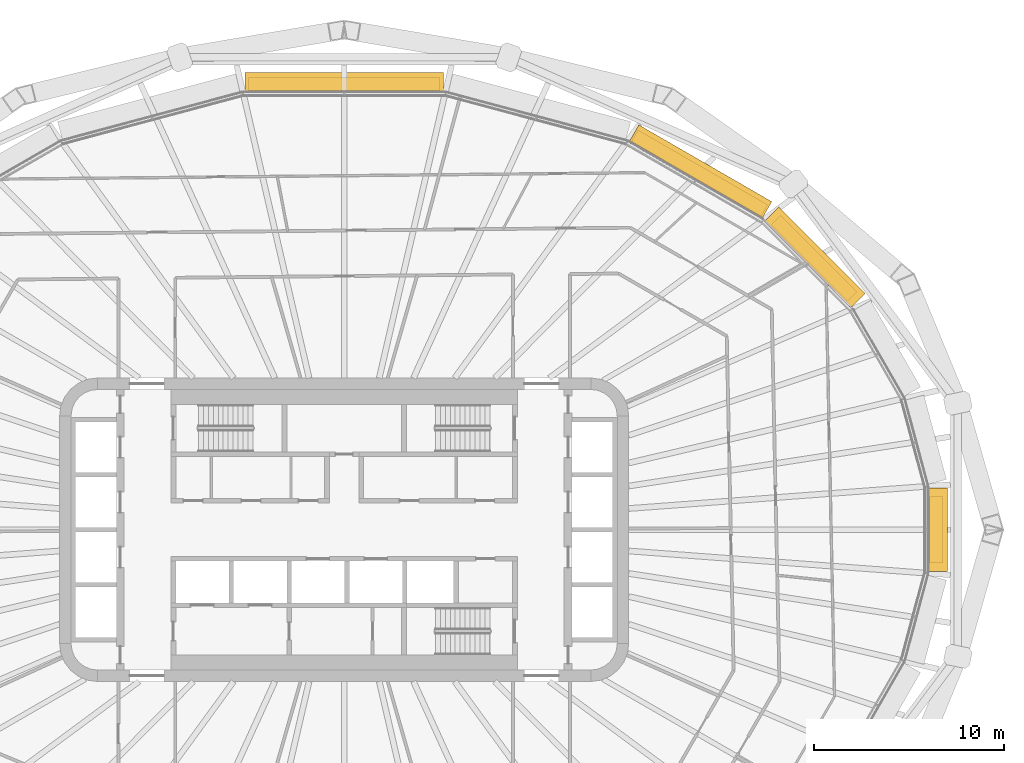
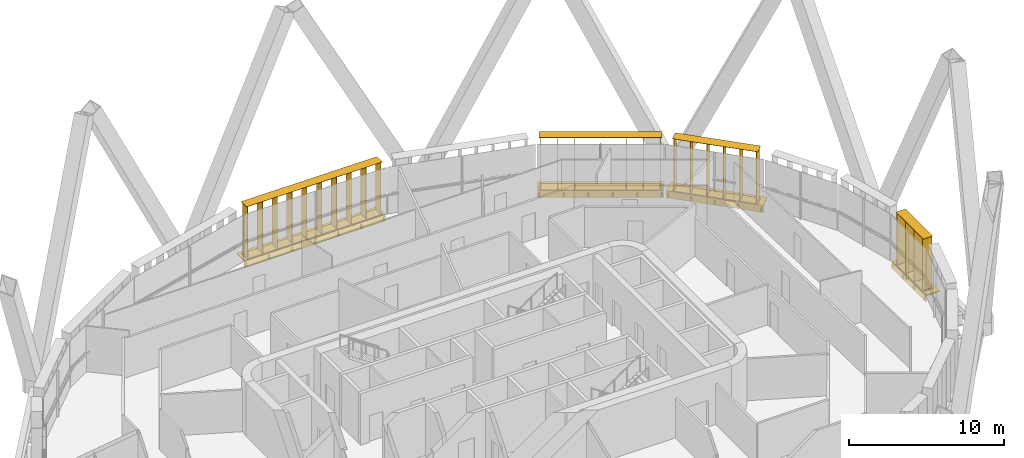
# One storey, part 25 of 25: 8 shading devices.
"""IFC4 building model written with IfcOpenShell, lengths in metres."""

from ifc_helpers import new_model, si_unit, direction, frame, origin, origin_2d, place, context, subcontext, project, spatial, rectangle, extrude, material, type_object, element, save


model = new_model("IFC4")

# Units and contexts
model_context = context("Model", 3, precision=1e-05, world=origin(), true_north=direction((0.0, 1.0)))
body_context = subcontext(model_context, "Body", "Model", "MODEL_VIEW")
ifc_project = project(units=[si_unit("LENGTHUNIT", "METRE"), si_unit("AREAUNIT", "SQUARE_METRE"), si_unit("VOLUMEUNIT", "CUBIC_METRE"), si_unit("PLANEANGLEUNIT", "RADIAN"), si_unit("MASSUNIT", "GRAM", prefix="KILO")], contexts=[model_context])

# Site, building, storey
site_placement = place(None, origin())
site = spatial("IfcSite", under=ifc_project, at=site_placement, CompositionType="ELEMENT")
building_placement = place(site_placement, origin())
building = spatial("IfcBuilding", under=site, at=building_placement, Name="Sahrelin Media Tower", CompositionType="ELEMENT")
storey_placement = place(building_placement, frame((0.0, 0.0, 63.0)))
storey = spatial("IfcBuildingStorey", under=building, at=storey_placement, Name="L10", CompositionType="ELEMENT", Elevation=63.0)

# Shading devices
ifc_material = material(Name="Champagne anodised aluminium 6063-T6", Category="aluminium")
shading_device_type_1 = type_object("IfcShadingDeviceType", Name="Fin cassette", PredefinedType="USERDEFINED", material=ifc_material)
placement_1 = place(storey_placement, frame((30.790283203125, 0.0, 0.0), z_axis=(0.0, 0.0, 1.0), x_axis=(0.0, -1.0, 0.0)))
element("IfcShadingDevice", 1, at=placement_1, inside=storey, type_object=shading_device_type_1, Name="L10:FIN:L10-00", ObjectType="FIN", PredefinedType="USERDEFINED", context=body_context, shape_type="SweptSolid", body=[
    extrude(rectangle(XDim=3.5, YDim=0.699951171875, at=origin_2d()), frame((0.0, 0.419921875, 0.0)), (0.0, 0.0, 1.0), 0.02001953125),
    extrude(rectangle(XDim=3.5, YDim=0.699951171875, at=origin_2d()), frame((0.0, 0.419921875, 4.10009765625)), (0.0, 0.0, 1.0), 0.02001953125),
    extrude(rectangle(XDim=0.02001953125, YDim=0.699951171875, at=origin_2d()), frame((-1.64990234375, 0.419921875, 0.010009765625), z_axis=(0.0, 0.0, 1.0), x_axis=(1.0, 0.0, 0.0)), (0.0, 0.0, 1.0), 4.10009765625),
    extrude(rectangle(XDim=0.02001953125, YDim=0.699951171875, at=origin_2d()), frame((-0.550048828125, 0.419921875, 0.010009765625), z_axis=(0.0, 0.0, 1.0), x_axis=(1.0, 0.0, 0.0)), (0.0, 0.0, 1.0), 4.10009765625),
    extrude(rectangle(XDim=0.02001953125, YDim=0.699951171875, at=origin_2d()), frame((0.550048828125, 0.419921875, 0.010009765625), z_axis=(0.0, 0.0, 1.0), x_axis=(1.0, 0.0, 0.0)), (0.0, 0.0, 1.0), 4.10009765625),
    extrude(rectangle(XDim=0.02001953125, YDim=0.699951171875, at=origin_2d()), frame((1.64990234375, 0.419921875, 0.010009765625), z_axis=(0.0, 0.0, 1.0), x_axis=(1.0, 0.0, 0.0)), (0.0, 0.0, 1.0), 4.10009765625),
])
placement_2 = place(storey_placement, frame((24.46728515625, 14.011474609375, 0.0), z_axis=(0.0, 0.0, 1.0), x_axis=(0.707106781187, -0.707106781187, 0.0)))
element("IfcShadingDevice", 2, at=placement_2, inside=storey, type_object=shading_device_type_1, Name="L10:FIN:L10-03", ObjectType="FIN", PredefinedType="USERDEFINED", context=body_context, shape_type="SweptSolid", body=[
    extrude(rectangle(XDim=5.699951171875, YDim=0.699951171875, at=origin_2d()), frame((0.0, 0.419921875, 0.0)), (0.0, 0.0, 1.0), 0.02001953125),
    extrude(rectangle(XDim=5.699951171875, YDim=0.699951171875, at=origin_2d()), frame((0.0, 0.419921875, 4.10009765625)), (0.0, 0.0, 1.0), 0.02001953125),
    extrude(rectangle(XDim=0.02001953125, YDim=0.699951171875, at=origin_2d()), frame((-2.75, 0.419921875, 0.010009765625), z_axis=(0.0, 0.0, 1.0), x_axis=(1.0, 0.0, 0.0)), (0.0, 0.0, 1.0), 4.10009765625),
    extrude(rectangle(XDim=0.02001953125, YDim=0.699951171875, at=origin_2d()), frame((-1.64990234375, 0.419921875, 0.010009765625), z_axis=(0.0, 0.0, 1.0), x_axis=(1.0, 0.0, 0.0)), (0.0, 0.0, 1.0), 4.10009765625),
    extrude(rectangle(XDim=0.02001953125, YDim=0.699951171875, at=origin_2d()), frame((-0.550048828125, 0.419921875, 0.010009765625), z_axis=(0.0, 0.0, 1.0), x_axis=(1.0, 0.0, 0.0)), (0.0, 0.0, 1.0), 4.10009765625),
    extrude(rectangle(XDim=0.02001953125, YDim=0.699951171875, at=origin_2d()), frame((0.550048828125, 0.419921875, 0.010009765625), z_axis=(0.0, 0.0, 1.0), x_axis=(1.0, 0.0, 0.0)), (0.0, 0.0, 1.0), 4.10009765625),
    extrude(rectangle(XDim=0.02001953125, YDim=0.699951171875, at=origin_2d()), frame((1.64990234375, 0.419921875, 0.010009765625), z_axis=(0.0, 0.0, 1.0), x_axis=(1.0, 0.0, 0.0)), (0.0, 0.0, 1.0), 4.10009765625),
    extrude(rectangle(XDim=0.02001953125, YDim=0.699951171875, at=origin_2d()), frame((2.75, 0.419921875, 0.010009765625), z_axis=(0.0, 0.0, 1.0), x_axis=(1.0, 0.0, 0.0)), (0.0, 0.0, 1.0), 4.10009765625),
])
placement_3 = place(storey_placement, frame((18.529296875, 18.432373046875, 0.0), z_axis=(0.0, 0.0, 1.0), x_axis=(0.866019052629, -0.500011000363, 0.0)))
element("IfcShadingDevice", 3, at=placement_3, inside=storey, type_object=shading_device_type_1, Name="L10:FIN:L10-04", ObjectType="FIN", PredefinedType="USERDEFINED", context=body_context, shape_type="SweptSolid", body=[
    extrude(rectangle(XDim=7.89990234375, YDim=0.699951171875, at=origin_2d()), frame((0.0, 0.419921875, 0.0)), (0.0, 0.0, 1.0), 0.02001953125),
    extrude(rectangle(XDim=7.89990234375, YDim=0.699951171875, at=origin_2d()), frame((0.0, 0.419921875, 4.10009765625)), (0.0, 0.0, 1.0), 0.02001953125),
    extrude(rectangle(XDim=0.02001953125, YDim=0.699951171875, at=origin_2d()), frame((-3.85009765625, 0.419921875, 0.010009765625), z_axis=(0.0, 0.0, 1.0), x_axis=(1.0, 0.0, 0.0)), (0.0, 0.0, 1.0), 4.10009765625),
    extrude(rectangle(XDim=0.02001953125, YDim=0.699951171875, at=origin_2d()), frame((-2.75, 0.419921875, 0.010009765625), z_axis=(0.0, 0.0, 1.0), x_axis=(1.0, 0.0, 0.0)), (0.0, 0.0, 1.0), 4.10009765625),
    extrude(rectangle(XDim=0.02001953125, YDim=0.699951171875, at=origin_2d()), frame((-1.64990234375, 0.419921875, 0.010009765625), z_axis=(0.0, 0.0, 1.0), x_axis=(1.0, 0.0, 0.0)), (0.0, 0.0, 1.0), 4.10009765625),
    extrude(rectangle(XDim=0.02001953125, YDim=0.699951171875, at=origin_2d()), frame((-0.550048828125, 0.419921875, 0.010009765625), z_axis=(0.0, 0.0, 1.0), x_axis=(1.0, 0.0, 0.0)), (0.0, 0.0, 1.0), 4.10009765625),
    extrude(rectangle(XDim=0.02001953125, YDim=0.699951171875, at=origin_2d()), frame((0.550048828125, 0.419921875, 0.010009765625), z_axis=(0.0, 0.0, 1.0), x_axis=(1.0, 0.0, 0.0)), (0.0, 0.0, 1.0), 4.10009765625),
    extrude(rectangle(XDim=0.02001953125, YDim=0.699951171875, at=origin_2d()), frame((1.64990234375, 0.419921875, 0.010009765625), z_axis=(0.0, 0.0, 1.0), x_axis=(1.0, 0.0, 0.0)), (0.0, 0.0, 1.0), 4.10009765625),
    extrude(rectangle(XDim=0.02001953125, YDim=0.699951171875, at=origin_2d()), frame((2.75, 0.419921875, 0.010009765625), z_axis=(0.0, 0.0, 1.0), x_axis=(1.0, 0.0, 0.0)), (0.0, 0.0, 1.0), 4.10009765625),
    extrude(rectangle(XDim=0.02001953125, YDim=0.699951171875, at=origin_2d()), frame((3.85009765625, 0.419921875, 0.010009765625), z_axis=(0.0, 0.0, 1.0), x_axis=(1.0, 0.0, 0.0)), (0.0, 0.0, 1.0), 4.10009765625),
])
placement_4 = place(storey_placement, frame((0.0, 23.077392578125, 0.0), z_axis=(0.0, 0.0, 1.0), x_axis=(1.0, 0.0, 0.0)))
element("IfcShadingDevice", 4, at=placement_4, inside=storey, type_object=shading_device_type_1, Name="L10:FIN:L10-06", ObjectType="FIN", PredefinedType="USERDEFINED", context=body_context, shape_type="SweptSolid", body=[
    extrude(rectangle(XDim=10.10009765625, YDim=0.699951171875, at=origin_2d()), frame((0.0, 0.419921875, 0.0)), (0.0, 0.0, 1.0), 0.02001953125),
    extrude(rectangle(XDim=10.10009765625, YDim=0.699951171875, at=origin_2d()), frame((0.0, 0.419921875, 4.10009765625)), (0.0, 0.0, 1.0), 0.02001953125),
    extrude(rectangle(XDim=0.02001953125, YDim=0.699951171875, at=origin_2d()), frame((-4.949951171875, 0.419921875, 0.010009765625), z_axis=(0.0, 0.0, 1.0), x_axis=(1.0, 0.0, 0.0)), (0.0, 0.0, 1.0), 4.10009765625),
    extrude(rectangle(XDim=0.02001953125, YDim=0.699951171875, at=origin_2d()), frame((-3.85009765625, 0.419921875, 0.010009765625), z_axis=(0.0, 0.0, 1.0), x_axis=(1.0, 0.0, 0.0)), (0.0, 0.0, 1.0), 4.10009765625),
    extrude(rectangle(XDim=0.02001953125, YDim=0.699951171875, at=origin_2d()), frame((-2.75, 0.419921875, 0.010009765625), z_axis=(0.0, 0.0, 1.0), x_axis=(1.0, 0.0, 0.0)), (0.0, 0.0, 1.0), 4.10009765625),
    extrude(rectangle(XDim=0.02001953125, YDim=0.699951171875, at=origin_2d()), frame((-1.64990234375, 0.419921875, 0.010009765625), z_axis=(0.0, 0.0, 1.0), x_axis=(1.0, 0.0, 0.0)), (0.0, 0.0, 1.0), 4.10009765625),
    extrude(rectangle(XDim=0.02001953125, YDim=0.699951171875, at=origin_2d()), frame((-0.550048828125, 0.419921875, 0.010009765625), z_axis=(0.0, 0.0, 1.0), x_axis=(1.0, 0.0, 0.0)), (0.0, 0.0, 1.0), 4.10009765625),
    extrude(rectangle(XDim=0.02001953125, YDim=0.699951171875, at=origin_2d()), frame((0.550048828125, 0.419921875, 0.010009765625), z_axis=(0.0, 0.0, 1.0), x_axis=(1.0, 0.0, 0.0)), (0.0, 0.0, 1.0), 4.10009765625),
    extrude(rectangle(XDim=0.02001953125, YDim=0.699951171875, at=origin_2d()), frame((1.64990234375, 0.419921875, 0.010009765625), z_axis=(0.0, 0.0, 1.0), x_axis=(1.0, 0.0, 0.0)), (0.0, 0.0, 1.0), 4.10009765625),
    extrude(rectangle(XDim=0.02001953125, YDim=0.699951171875, at=origin_2d()), frame((2.75, 0.419921875, 0.010009765625), z_axis=(0.0, 0.0, 1.0), x_axis=(1.0, 0.0, 0.0)), (0.0, 0.0, 1.0), 4.10009765625),
    extrude(rectangle(XDim=0.02001953125, YDim=0.699951171875, at=origin_2d()), frame((3.85009765625, 0.419921875, 0.010009765625), z_axis=(0.0, 0.0, 1.0), x_axis=(1.0, 0.0, 0.0)), (0.0, 0.0, 1.0), 4.10009765625),
    extrude(rectangle(XDim=0.02001953125, YDim=0.699951171875, at=origin_2d()), frame((4.949951171875, 0.419921875, 0.010009765625), z_axis=(0.0, 0.0, 1.0), x_axis=(1.0, 0.0, 0.0)), (0.0, 0.0, 1.0), 4.10009765625),
])
shading_device_type_2 = type_object("IfcShadingDeviceType", Name="Sunshade band", PredefinedType="USERDEFINED", material=ifc_material)
element("IfcShadingDevice", 5, at=placement_1, inside=storey, type_object=shading_device_type_2, Name="L10:SUN:L10-00", ObjectType="SUNSHADE", PredefinedType="USERDEFINED", context=body_context, shape_type="SweptSolid", body=[
    extrude(rectangle(XDim=4.388916015625, YDim=0.050048828125, at=origin_2d()), frame((0.0, 0.044921875, -0.55126953125)), (0.0, 0.0, 1.0), 0.471435546875),
    extrude(rectangle(XDim=4.388916015625, YDim=1.0, at=origin_2d()), frame((0.0, 0.52001953125, -0.080078125)), (0.0, 0.0, 1.0), 0.080078125),
    extrude(rectangle(XDim=0.10009765625, YDim=0.074951171875, at=origin_2d()), frame((-2.094482421875, -0.017578125, -0.47021484375)), (0.0, 0.0, 1.0), 0.300048828125),
    extrude(rectangle(XDim=0.10009765625, YDim=0.074951171875, at=origin_2d()), frame((-0.697998046875, -0.017578125, -0.47021484375)), (0.0, 0.0, 1.0), 0.300048828125),
    extrude(rectangle(XDim=0.10009765625, YDim=0.074951171875, at=origin_2d()), frame((0.697998046875, -0.017578125, -0.47021484375)), (0.0, 0.0, 1.0), 0.300048828125),
    extrude(rectangle(XDim=0.10009765625, YDim=0.074951171875, at=origin_2d()), frame((2.094482421875, -0.017578125, -0.47021484375)), (0.0, 0.0, 1.0), 0.300048828125),
])
element("IfcShadingDevice", 6, at=placement_2, inside=storey, type_object=shading_device_type_2, Name="L10:SUN:L10-03", ObjectType="SUNSHADE", PredefinedType="USERDEFINED", context=body_context, shape_type="SweptSolid", body=[
    extrude(rectangle(XDim=6.443603515625, YDim=0.050048828125, at=origin_2d()), frame((0.0, 0.044921875, -0.55126953125)), (0.0, 0.0, 1.0), 0.471435546875),
    extrude(rectangle(XDim=6.443603515625, YDim=1.0, at=origin_2d()), frame((0.0, 0.52001953125, -0.080078125)), (0.0, 0.0, 1.0), 0.080078125),
    extrude(rectangle(XDim=0.10009765625, YDim=0.074951171875, at=origin_2d()), frame((-3.121826171875, -0.017578125, -0.47021484375)), (0.0, 0.0, 1.0), 0.300048828125),
    extrude(rectangle(XDim=0.10009765625, YDim=0.074951171875, at=origin_2d()), frame((-1.560791015625, -0.017578125, -0.47021484375)), (0.0, 0.0, 1.0), 0.300048828125),
    extrude(rectangle(XDim=0.10009765625, YDim=0.074951171875, at=origin_2d()), frame((0.0, -0.017578125, -0.47021484375)), (0.0, 0.0, 1.0), 0.300048828125),
    extrude(rectangle(XDim=0.10009765625, YDim=0.074951171875, at=origin_2d()), frame((1.560791015625, -0.017578125, -0.47021484375)), (0.0, 0.0, 1.0), 0.300048828125),
    extrude(rectangle(XDim=0.10009765625, YDim=0.074951171875, at=origin_2d()), frame((3.121826171875, -0.017578125, -0.47021484375)), (0.0, 0.0, 1.0), 0.300048828125),
])
element("IfcShadingDevice", 7, at=placement_3, inside=storey, type_object=shading_device_type_2, Name="L10:SUN:L10-04", ObjectType="SUNSHADE", PredefinedType="USERDEFINED", context=body_context, shape_type="SweptSolid", body=[
    extrude(rectangle(XDim=8.088134765625, YDim=0.050048828125, at=origin_2d()), frame((0.0, 0.044921875, -0.55126953125)), (0.0, 0.0, 1.0), 0.471435546875),
    extrude(rectangle(XDim=8.088134765625, YDim=1.0, at=origin_2d()), frame((0.0, 0.52001953125, -0.080078125)), (0.0, 0.0, 1.0), 0.080078125),
    extrude(rectangle(XDim=0.10009765625, YDim=0.074951171875, at=origin_2d()), frame((-3.944091796875, -0.017578125, -0.47021484375)), (0.0, 0.0, 1.0), 0.300048828125),
    extrude(rectangle(XDim=0.10009765625, YDim=0.074951171875, at=origin_2d()), frame((-2.366455078125, -0.017578125, -0.47021484375)), (0.0, 0.0, 1.0), 0.300048828125),
    extrude(rectangle(XDim=0.10009765625, YDim=0.074951171875, at=origin_2d()), frame((-0.788818359375, -0.017578125, -0.47021484375)), (0.0, 0.0, 1.0), 0.300048828125),
    extrude(rectangle(XDim=0.10009765625, YDim=0.074951171875, at=origin_2d()), frame((0.788818359375, -0.017578125, -0.47021484375)), (0.0, 0.0, 1.0), 0.300048828125),
    extrude(rectangle(XDim=0.10009765625, YDim=0.074951171875, at=origin_2d()), frame((2.366455078125, -0.017578125, -0.47021484375)), (0.0, 0.0, 1.0), 0.300048828125),
    extrude(rectangle(XDim=0.10009765625, YDim=0.074951171875, at=origin_2d()), frame((3.944091796875, -0.017578125, -0.47021484375)), (0.0, 0.0, 1.0), 0.300048828125),
])
element("IfcShadingDevice", 8, at=placement_4, inside=storey, type_object=shading_device_type_2, Name="L10:SUN:L10-06", ObjectType="SUNSHADE", PredefinedType="USERDEFINED", context=body_context, shape_type="SweptSolid", body=[
    extrude(rectangle(XDim=10.476806640625, YDim=0.050048828125, at=origin_2d()), frame((0.0, 0.044921875, -0.55126953125)), (0.0, 0.0, 1.0), 0.471435546875),
    extrude(rectangle(XDim=10.476806640625, YDim=1.0, at=origin_2d()), frame((0.0, 0.52001953125, -0.080078125)), (0.0, 0.0, 1.0), 0.080078125),
    extrude(rectangle(XDim=0.10009765625, YDim=0.074951171875, at=origin_2d()), frame((-5.138427734375, -0.017578125, -0.47021484375)), (0.0, 0.0, 1.0), 0.300048828125),
    extrude(rectangle(XDim=0.10009765625, YDim=0.074951171875, at=origin_2d()), frame((-3.425537109375, -0.017578125, -0.47021484375)), (0.0, 0.0, 1.0), 0.300048828125),
    extrude(rectangle(XDim=0.10009765625, YDim=0.074951171875, at=origin_2d()), frame((-1.712890625, -0.017578125, -0.47021484375)), (0.0, 0.0, 1.0), 0.300048828125),
    extrude(rectangle(XDim=0.10009765625, YDim=0.074951171875, at=origin_2d()), frame((0.0, -0.017578125, -0.47021484375)), (0.0, 0.0, 1.0), 0.300048828125),
    extrude(rectangle(XDim=0.10009765625, YDim=0.074951171875, at=origin_2d()), frame((1.712890625, -0.017578125, -0.47021484375)), (0.0, 0.0, 1.0), 0.300048828125),
    extrude(rectangle(XDim=0.10009765625, YDim=0.074951171875, at=origin_2d()), frame((3.425537109375, -0.017578125, -0.47021484375)), (0.0, 0.0, 1.0), 0.300048828125),
    extrude(rectangle(XDim=0.10009765625, YDim=0.074951171875, at=origin_2d()), frame((5.138427734375, -0.017578125, -0.47021484375)), (0.0, 0.0, 1.0), 0.300048828125),
])

save(model, "model.ifc")
